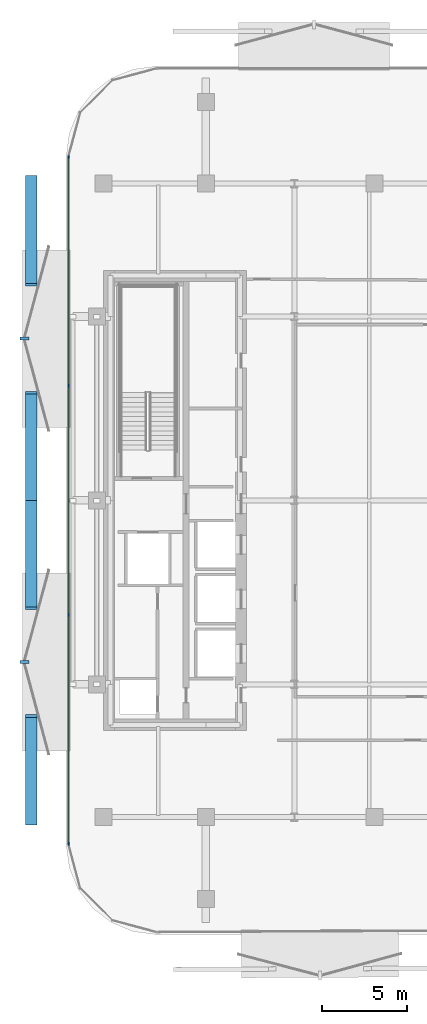
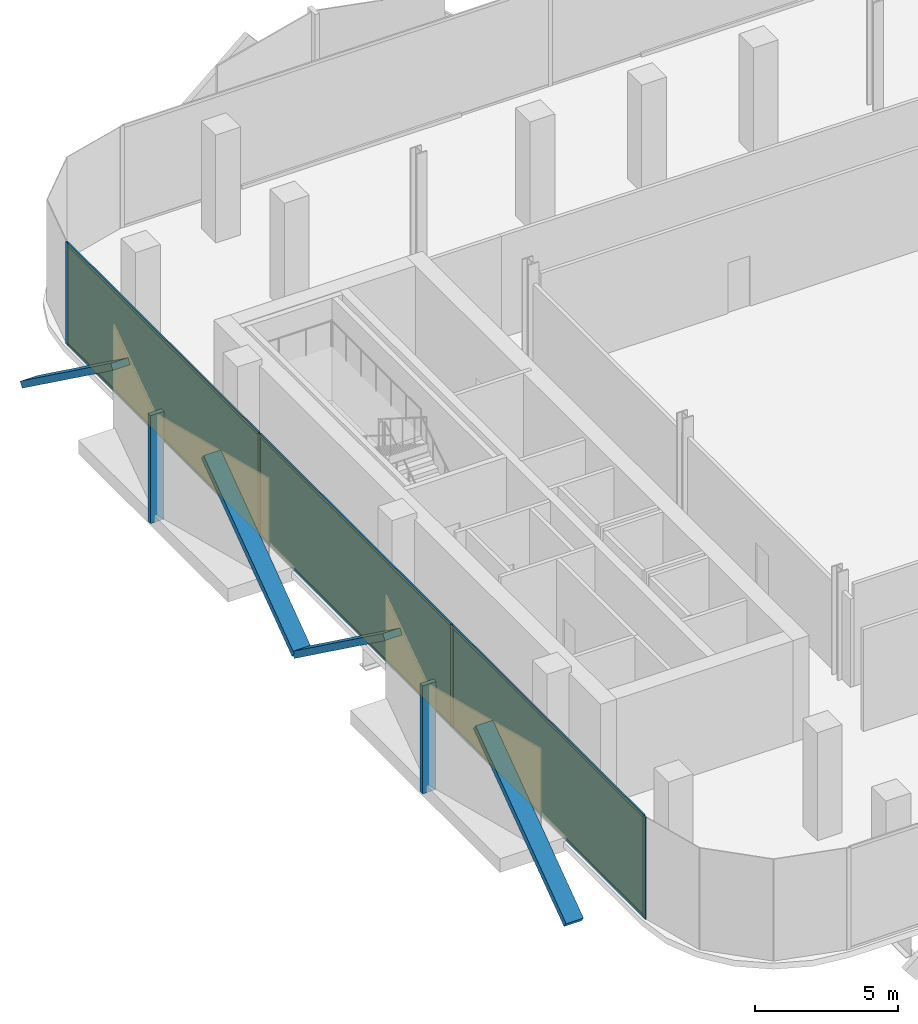
# One storey, part 7 of 14: 16 members, 3 plates, 1 curtain wall.
"""IFC4 building model written with IfcOpenShell, lengths in metres."""

from ifc_helpers import new_model, si_unit, direction, frame, frame_2d, origin, origin_2d, place, context, subcontext, project, spatial, rectangle, extrude, material, layer, layer_set, material_profile, profile_set, type_object, element, aggregate, save


model = new_model("IFC4")

# Units and contexts
model_context = context("Model", 3, precision=1e-05, world=origin(), true_north=direction((0.0, 1.0)))
body_context = subcontext(model_context, "Body", "Model", "MODEL_VIEW")
ifc_project = project(units=[si_unit("LENGTHUNIT", "METRE"), si_unit("AREAUNIT", "SQUARE_METRE"), si_unit("VOLUMEUNIT", "CUBIC_METRE"), si_unit("PLANEANGLEUNIT", "RADIAN"), si_unit("MASSUNIT", "GRAM", prefix="KILO")], contexts=[model_context])

# Member
ifc_material_1 = material(Name="Anodised Bronze Aluminium 6063-T6", Category="aluminium")
ifc_material_profile_1 = material_profile(ifc_material_1, rectangle(XDim=0.260009765625, YDim=0.699951171875, at=origin_2d()))
ifc_profile_set_1 = profile_set([ifc_material_profile_1], Name="Anodised Bronze Aluminium 6063-T6")
member_type_1 = type_object("IfcMemberType", Name="Bronze Diamond Solar-Screen Lattice Rib BDL-700", PredefinedType="MULLION", material=ifc_profile_set_1)
site_placement = place(None, origin())
building_placement = place(site_placement, origin())
storey_placement = place(building_placement, frame((0.0, 0.0, 160.39990234375)))
member_1_placement = place(storey_placement, frame((-24.64990234375, -18.99072265625, -0.1298828125), z_axis=(0.0, 0.808965379471, 0.587856287554), x_axis=(0.0, -0.587856287554, 0.808965379471)))
member_1 = element("IfcMember", 1, at=member_1_placement, type_object=member_type_1, Name="L36 Bronze Diamond Solar Screen Lattice Rib 227A", PredefinedType="MULLION", context=body_context, shape_type="SweptSolid", body=[
    extrude(rectangle(XDim=0.260009765625, YDim=0.699951171875, at=origin_2d()), origin(), (0.0, 0.0, 1.0), 7.8251953125),
])

member_2_placement = place(storey_placement, frame((-24.64990234375, 0.0, -0.1298828125), z_axis=(0.0, -0.808965379471, 0.587856287554), x_axis=(0.0, 0.587856287554, 0.808965379471)))
member_2 = element("IfcMember", 2, at=member_2_placement, type_object=member_type_1, Name="L36 Bronze Diamond Solar Screen Lattice Rib 227B", PredefinedType="MULLION", context=body_context, shape_type="SweptSolid", body=[
    extrude(rectangle(XDim=0.260009765625, YDim=0.699951171875, at=origin_2d()), origin(), (0.0, 0.0, 1.0), 7.8251953125),
])

member_3_placement = place(storey_placement, frame((-24.64990234375, 0.0, -0.1298828125), z_axis=(0.0, 0.808965379471, 0.587856287554), x_axis=(0.0, -0.587856287554, 0.808965379471)))
member_3 = element("IfcMember", 3, at=member_3_placement, type_object=member_type_1, Name="L36 Bronze Diamond Solar Screen Lattice Rib 228A", PredefinedType="MULLION", context=body_context, shape_type="SweptSolid", body=[
    extrude(rectangle(XDim=0.260009765625, YDim=0.699951171875, at=origin_2d()), origin(), (0.0, 0.0, 1.0), 7.8251953125),
])

member_4_placement = place(storey_placement, frame((-24.64990234375, 18.99072265625, -0.1298828125), z_axis=(0.0, -0.808965379471, 0.587856287554), x_axis=(0.0, 0.587856287554, 0.808965379471)))
member_4 = element("IfcMember", 4, at=member_4_placement, type_object=member_type_1, Name="L36 Bronze Diamond Solar Screen Lattice Rib 228B", PredefinedType="MULLION", context=body_context, shape_type="SweptSolid", body=[
    extrude(rectangle(XDim=0.260009765625, YDim=0.699951171875, at=origin_2d()), origin(), (0.0, 0.0, 1.0), 7.8251953125),
])

ifc_material_2 = material(Name="Anodised Bronze Aluminium 6063-T6", Category="aluminium")
ifc_material_profile_2 = material_profile(ifc_material_2, rectangle(XDim=0.179931640625, YDim=0.5400390625, at=origin_2d()))
ifc_profile_set_2 = profile_set([ifc_material_profile_2], Name="Anodised Bronze Aluminium 6063-T6")
member_type_2 = type_object("IfcMemberType", Name="Bronze Solar-Screen Vertical Fold Fin BSF-540", PredefinedType="MULLION", material=ifc_profile_set_2)
member_5_placement = place(storey_placement, frame((-25.0400390625, -9.495361328125, -0.1298828125), z_axis=(0.0, 0.0, 1.0), x_axis=(0.0, 1.0, 0.0)))
member_5 = element("IfcMember", 5, at=member_5_placement, type_object=member_type_2, Name="L36 Bronze Solar Screen Vertical Fin 227", PredefinedType="MULLION", context=body_context, shape_type="SweptSolid", body=[
    extrude(rectangle(XDim=0.179931640625, YDim=0.5400390625, at=origin_2d()), origin(), (0.0, 0.0, 1.0), 4.60009765625),
])

member_6_placement = place(storey_placement, frame((-25.0400390625, 9.495361328125, -0.1298828125), z_axis=(0.0, 0.0, 1.0), x_axis=(0.0, 1.0, 0.0)))
member_6 = element("IfcMember", 6, at=member_6_placement, type_object=member_type_2, Name="L36 Bronze Solar Screen Vertical Fin 228", PredefinedType="MULLION", context=body_context, shape_type="SweptSolid", body=[
    extrude(rectangle(XDim=0.179931640625, YDim=0.5400390625, at=origin_2d()), origin(), (0.0, 0.0, 1.0), 4.60009765625),
])

ifc_material_3 = material(Name="Anodised Bronze Aluminium 6063-T6", Category="aluminium")
ifc_material_profile_3 = material_profile(ifc_material_3, rectangle(XDim=0.06005859375, YDim=0.1650390625, at=origin_2d()))
ifc_profile_set_3 = profile_set([ifc_material_profile_3], Name="Anodised Bronze Aluminium 6063-T6")
member_type_3 = type_object("IfcMemberType", Name="CW-Z3 Mullion 60x165", PredefinedType="MULLION", material=ifc_profile_set_3)
member_7_placement = place(storey_placement, frame((-22.4599609375, -20.160888671875, 0.0), z_axis=(0.0, 0.0, 1.0), x_axis=(-1.0, 0.0, 0.0)))
member_7 = element("IfcMember", 7, at=member_7_placement, type_object=member_type_3, Name="CW-Z3 mullion 1", PredefinedType="MULLION", context=body_context, shape_type="SweptSolid", body=[
    extrude(rectangle(XDim=0.06005859375, YDim=0.1650390625, at=origin_2d()), origin(), (0.0, 0.0, 1.0), 4.340087890625),
])

member_8_placement = place(storey_placement, frame((-22.4599609375, -6.730224609375, 0.0), z_axis=(0.0, 0.0, 1.0), x_axis=(-1.0, 0.0, 0.0)))
member_8 = element("IfcMember", 8, at=member_8_placement, type_object=member_type_3, Name="CW-Z3 mullion 2", PredefinedType="MULLION", context=body_context, shape_type="SweptSolid", body=[
    extrude(rectangle(XDim=0.06005859375, YDim=0.1650390625, at=origin_2d()), origin(), (0.0, 0.0, 1.0), 4.340087890625),
])

member_9_placement = place(storey_placement, frame((-22.4599609375, 6.730224609375, 0.0), z_axis=(0.0, 0.0, 1.0), x_axis=(-1.0, 0.0, 0.0)))
member_9 = element("IfcMember", 9, at=member_9_placement, type_object=member_type_3, Name="CW-Z3 mullion 3", PredefinedType="MULLION", context=body_context, shape_type="SweptSolid", body=[
    extrude(rectangle(XDim=0.06005859375, YDim=0.1650390625, at=origin_2d()), origin(), (0.0, 0.0, 1.0), 4.340087890625),
])

member_10_placement = place(storey_placement, frame((-22.4599609375, 20.160888671875, 0.0), z_axis=(0.0, 0.0, 1.0), x_axis=(-1.0, 0.0, 0.0)))
member_10 = element("IfcMember", 10, at=member_10_placement, type_object=member_type_3, Name="CW-Z3 mullion 4", PredefinedType="MULLION", context=body_context, shape_type="SweptSolid", body=[
    extrude(rectangle(XDim=0.06005859375, YDim=0.1650390625, at=origin_2d()), origin(), (0.0, 0.0, 1.0), 4.340087890625),
])

ifc_material_4 = material(Name="Anodised Bronze Aluminium 6063-T6", Category="aluminium")
ifc_material_profile_4 = material_profile(ifc_material_4, rectangle(XDim=0.06005859375, YDim=0.1298828125, at=origin_2d()))
ifc_profile_set_4 = profile_set([ifc_material_profile_4], Name="Anodised Bronze Aluminium 6063-T6")
member_type_4 = type_object("IfcMemberType", Name="CW-Z3 Transom 60x130", PredefinedType="USERDEFINED", material=ifc_profile_set_4)
member_11_placement = place(storey_placement, frame((-22.4599609375, -20.130859375, 0.030029296875), z_axis=(0.0, 1.0, 0.0), x_axis=(-1.0, 0.0, 0.0)))
member_11 = element("IfcMember", 11, at=member_11_placement, type_object=member_type_4, Name="CW-Z3 transom 1.1", ObjectType="TRANSOM", PredefinedType="USERDEFINED", context=body_context, shape_type="SweptSolid", body=[
    extrude(rectangle(XDim=0.06005859375, YDim=0.1298828125, at=origin_2d()), origin(), (0.0, 0.0, 1.0), 13.37060546875),
])

member_12_placement = place(storey_placement, frame((-22.4599609375, -20.130859375, 4.31005859375), z_axis=(0.0, 1.0, 0.0), x_axis=(-1.0, 0.0, 0.0)))
member_12 = element("IfcMember", 12, at=member_12_placement, type_object=member_type_4, Name="CW-Z3 transom 1.2", ObjectType="TRANSOM", PredefinedType="USERDEFINED", context=body_context, shape_type="SweptSolid", body=[
    extrude(rectangle(XDim=0.06005859375, YDim=0.1298828125, at=origin_2d()), origin(), (0.0, 0.0, 1.0), 13.37060546875),
])

member_13_placement = place(storey_placement, frame((-22.4599609375, -6.7001953125, 0.030029296875), z_axis=(0.0, 1.0, 0.0), x_axis=(-1.0, 0.0, 0.0)))
member_13 = element("IfcMember", 13, at=member_13_placement, type_object=member_type_4, Name="CW-Z3 transom 2.1", ObjectType="TRANSOM", PredefinedType="USERDEFINED", context=body_context, shape_type="SweptSolid", body=[
    extrude(rectangle(XDim=0.06005859375, YDim=0.1298828125, at=origin_2d()), origin(), (0.0, 0.0, 1.0), 13.400390625),
])

member_14_placement = place(storey_placement, frame((-22.4599609375, -6.7001953125, 4.31005859375), z_axis=(0.0, 1.0, 0.0), x_axis=(-1.0, 0.0, 0.0)))
member_14 = element("IfcMember", 14, at=member_14_placement, type_object=member_type_4, Name="CW-Z3 transom 2.2", ObjectType="TRANSOM", PredefinedType="USERDEFINED", context=body_context, shape_type="SweptSolid", body=[
    extrude(rectangle(XDim=0.06005859375, YDim=0.1298828125, at=origin_2d()), origin(), (0.0, 0.0, 1.0), 13.400390625),
])

member_15_placement = place(storey_placement, frame((-22.4599609375, 6.76025390625, 0.030029296875), z_axis=(0.0, 1.0, 0.0), x_axis=(-1.0, 0.0, 0.0)))
member_15 = element("IfcMember", 15, at=member_15_placement, type_object=member_type_4, Name="CW-Z3 transom 3.1", ObjectType="TRANSOM", PredefinedType="USERDEFINED", context=body_context, shape_type="SweptSolid", body=[
    extrude(rectangle(XDim=0.06005859375, YDim=0.1298828125, at=origin_2d()), origin(), (0.0, 0.0, 1.0), 13.37060546875),
])

member_16_placement = place(storey_placement, frame((-22.4599609375, 6.76025390625, 4.31005859375), z_axis=(0.0, 1.0, 0.0), x_axis=(-1.0, 0.0, 0.0)))
member_16 = element("IfcMember", 16, at=member_16_placement, type_object=member_type_4, Name="CW-Z3 transom 3.2", ObjectType="TRANSOM", PredefinedType="USERDEFINED", context=body_context, shape_type="SweptSolid", body=[
    extrude(rectangle(XDim=0.06005859375, YDim=0.1298828125, at=origin_2d()), origin(), (0.0, 0.0, 1.0), 13.37060546875),
])

# Plate
ifc_material_5 = material(Name="Low-E Solar Control Laminated Glass", Category="glass")
ifc_layer_1 = layer(ifc_material_5, 0.030029296875, Name="Low-E Solar Control Laminated Glass")
ifc_layer_set_1 = layer_set([ifc_layer_1], Name="Low-E Solar Control Laminated Glass")
plate_type = type_object("IfcPlateType", Name="CW-Z3 Low-E Double Glazed Panel 30mm", PredefinedType="CURTAIN_PANEL", material=ifc_layer_set_1)
plate_1_placement = place(storey_placement, frame((-22.4599609375, -13.445556640625, 0.06005859375), z_axis=(0.0, 0.0, 1.0), x_axis=(0.0, 1.0, 0.0)))
plate_1 = element("IfcPlate", 17, at=plate_1_placement, type_object=plate_type, Name="CW-Z3 panel 1.1", PredefinedType="CURTAIN_PANEL", context=body_context, shape_type="SweptSolid", body=[
    extrude(rectangle(XDim=13.37060546875, YDim=0.030029296875, at=origin_2d()), origin(), (0.0, 0.0, 1.0), 4.219970703125),
])

plate_2_placement = place(storey_placement, frame((-22.4599609375, 0.0, 0.06005859375), z_axis=(0.0, 0.0, 1.0), x_axis=(0.0, 1.0, 0.0)))
plate_2 = element("IfcPlate", 18, at=plate_2_placement, type_object=plate_type, Name="CW-Z3 panel 2.1", PredefinedType="CURTAIN_PANEL", context=body_context, shape_type="SweptSolid", body=[
    extrude(rectangle(XDim=13.400634765625, YDim=0.030029296875, at=origin_2d()), origin(), (0.0, 0.0, 1.0), 4.219970703125),
])

plate_3_placement = place(storey_placement, frame((-22.4599609375, 13.445556640625, 0.06005859375), z_axis=(0.0, 0.0, 1.0), x_axis=(0.0, 1.0, 0.0)))
plate_3 = element("IfcPlate", 19, at=plate_3_placement, type_object=plate_type, Name="CW-Z3 panel 3.1", PredefinedType="CURTAIN_PANEL", context=body_context, shape_type="SweptSolid", body=[
    extrude(rectangle(XDim=13.37060546875, YDim=0.030029296875, at=origin_2d()), origin(), (0.0, 0.0, 1.0), 4.219970703125),
])

# Site, building, storey
site = spatial("IfcSite", under=ifc_project, at=site_placement, CompositionType="ELEMENT")
building = spatial("IfcBuilding", under=site, at=building_placement, Name="Khairoan Windgate Tower", CompositionType="ELEMENT")
storey = spatial("IfcBuildingStorey", under=building, at=storey_placement, Name="L36", CompositionType="ELEMENT", Elevation=160.39990234375)

# Curtain wall
ifc_material_6 = material(Name="Anodised Bronze Aluminium 6063-T6", Category="aluminium")
ifc_layer_2 = layer(ifc_material_6, 0.1650390625, Name="Anodised Bronze Aluminium 6063-T6")
ifc_layer_set_2 = layer_set([ifc_layer_2], Name="Anodised Bronze Aluminium 6063-T6")
curtain_wall_type = type_object("IfcCurtainWallType", Name="Luxury Hotel Acoustic Curtain Wall CW-Z3", PredefinedType="NOTDEFINED", material=ifc_layer_set_2)
curtain_wall_placement = place(storey_placement, frame((-22.4599609375, -20.19091796875, 0.0), z_axis=(0.0, 0.0, 1.0), x_axis=(0.0, 1.0, 0.0)))
curtain_wall = element("IfcCurtainWall", 20, at=curtain_wall_placement, inside=storey, type_object=curtain_wall_type, Name="L36 Unitised Curtain Wall 5", PredefinedType="NOTDEFINED", context=body_context, shape_type="SweptSolid", body=[
    extrude(rectangle(XDim=40.3818359375, YDim=0.010009765625, at=frame_2d((20.19091796875, 0.0))), origin(), (0.0, 0.0, 1.0), 4.340087890625),
])

aggregate(curtain_wall, [member_7, member_8, member_9, member_10, member_11, member_12, plate_1, member_13, member_14, plate_2, member_15, member_16, plate_3, member_1, member_2, member_5, member_3, member_4, member_6])

save(model, "model.ifc")
